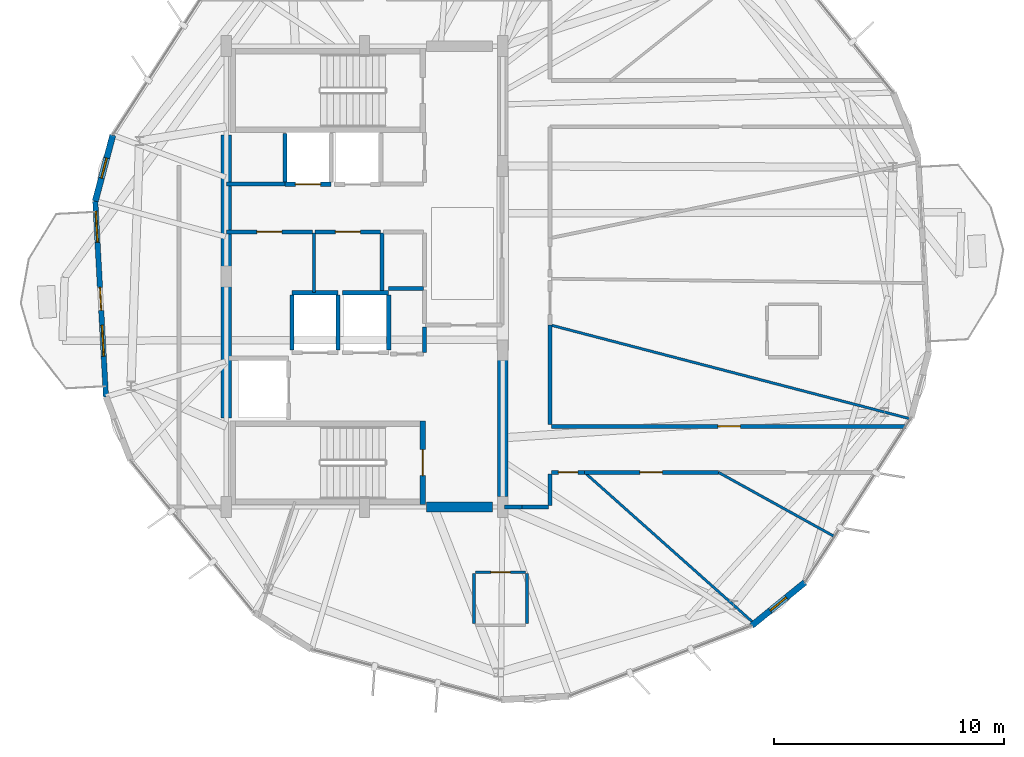
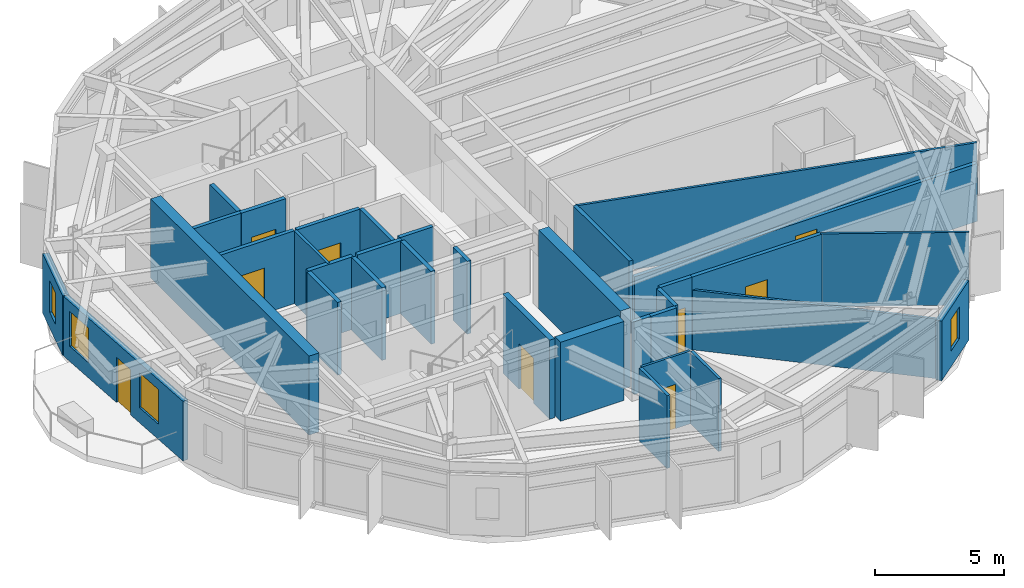
# One storey, part 21 of 26: 34 walls, 9 doors, 4 windows, 13 openings.
"""IFC4 building model written with IfcOpenShell, lengths in metres."""

from ifc_helpers import new_model, si_unit, direction, frame, frame_2d, origin, place, context, subcontext, project, spatial, rectangle, extrude, material, layer, layer_set, type_object, element, fill, save


model = new_model("IFC4")

# Units and contexts
model_context = context("Model", 3, precision=1e-05, world=origin(), true_north=direction((0.0, 1.0)))
body_context = subcontext(model_context, "Body", "Model", "MODEL_VIEW")
ifc_project = project(units=[si_unit("LENGTHUNIT", "METRE"), si_unit("AREAUNIT", "SQUARE_METRE"), si_unit("VOLUMEUNIT", "CUBIC_METRE"), si_unit("PLANEANGLEUNIT", "RADIAN"), si_unit("MASSUNIT", "GRAM", prefix="KILO")], contexts=[model_context])

# Site, building, storey
site_placement = place(None, origin())
site = spatial("IfcSite", under=ifc_project, at=site_placement, CompositionType="ELEMENT")
building_placement = place(site_placement, origin())
building = spatial("IfcBuilding", under=site, at=building_placement, Name="Soratama Intermodal Tower", CompositionType="ELEMENT")
storey_placement = place(building_placement, frame((0.0, 0.0, 242.5)))
storey = spatial("IfcBuildingStorey", under=building, at=storey_placement, Name="L61", CompositionType="ELEMENT", Elevation=242.5)

# Wall, openings, door, windows
ifc_material_1 = material(Name="Concrete f'c 42 MPa", Category="concrete")
ifc_layer_1 = layer(ifc_material_1, 0.22998046875)
ifc_layer_set_1 = layer_set([ifc_layer_1], Name="Concrete f'c 42 MPa")
wall_type_1 = type_object("IfcWallType", Name="EW-BAL-230", PredefinedType="SOLIDWALL", material=ifc_layer_set_1)
wall_1_placement = place(storey_placement, frame((26.915283203125, 28.2705078125, 0.0), z_axis=(0.0, 0.0, 1.0), x_axis=(0.05442960739, -0.99851761018, 0.0)))
wall_1 = element("IfcWall", 1, at=wall_1_placement, inside=storey, type_object=wall_type_1, Name="L61 Terrace Wall F04", PredefinedType="SOLIDWALL", context=body_context, shape_type="SweptSolid", body=[
    extrude(rectangle(XDim=8.5, YDim=0.22998046875, at=frame_2d((4.25, 0.0))), origin(), (0.0, 0.0, 1.0), 2.8291015625),
])
opening_1_placement = place(wall_1_placement, frame((3.75, 0.0, 0.0)))
opening_1 = element("IfcOpeningElement", 2, at=opening_1_placement, cuts=wall_1, Name="Opening ED-2", PredefinedType="OPENING", context=body_context, shape_type="SweptSolid", body=[
    extrude(rectangle(XDim=1.0, YDim=2.14990234375, at=frame_2d((0.5, 1.074951171875))), frame((0.0, 0.125, 0.0), z_axis=(0.0, -1.0, 0.0), x_axis=(1.0, 0.0, 0.0)), (0.0, 0.0, 1.0), 0.25),
])
opening_2_placement = place(wall_1_placement, frame((0.43994140625, 0.0, 0.719970703125)))
opening_2 = element("IfcOpeningElement", 3, at=opening_2_placement, cuts=wall_1, Name="Opening WN-4", PredefinedType="OPENING", context=body_context, shape_type="SweptSolid", body=[
    extrude(rectangle(XDim=1.35009765625, YDim=1.64990234375, at=frame_2d((0.675048828125, 0.824951171875))), frame((0.0, 0.125, 0.0), z_axis=(0.0, -1.0, 0.0), x_axis=(1.0, 0.0, 0.0)), (0.0, 0.0, 1.0), 0.25),
])
opening_3_placement = place(wall_1_placement, frame((5.389892578125, 0.0, 0.719970703125)))
opening_3 = element("IfcOpeningElement", 4, at=opening_3_placement, cuts=wall_1, Name="Opening WN-4", PredefinedType="OPENING", context=body_context, shape_type="SweptSolid", body=[
    extrude(rectangle(XDim=1.35009765625, YDim=1.64990234375, at=frame_2d((0.675048828125, 0.824951171875))), frame((0.0, 0.125, 0.0), z_axis=(0.0, -1.0, 0.0), x_axis=(1.0, 0.0, 0.0)), (0.0, 0.0, 1.0), 0.25),
])
ifc_material_2 = material(Name="Double-glazed aluminium door", Category="aluminium")
door_type_1 = type_object("IfcDoorType", Name="DR-BAL-1000", OperationType="NOTDEFINED", PredefinedType="DOOR", material=ifc_material_2)
door_1_placement = place(opening_1_placement, origin())
door_1 = element("IfcDoor", 5, at=door_1_placement, inside=storey, type_object=door_type_1, Name="L61 Balcony Door F04", OperationType="SINGLE_SWING_RIGHT", OverallHeight=2.14990234375, OverallWidth=1.0, PredefinedType="DOOR", context=body_context, shape_type="SweptSolid", body=[
    extrude(rectangle(XDim=1.0, YDim=2.14990234375, at=frame_2d((0.5, 1.074951171875))), frame((0.0, 0.02490234375, 0.0), z_axis=(0.0, -1.0, 0.0), x_axis=(1.0, 0.0, 0.0)), (0.0, 0.0, 1.0), 0.050048828125),
])
fill(opening_1, door_1)
ifc_material_3 = material(Name="Double-glazed aluminium window", Category="aluminium")
window_type_1 = type_object("IfcWindowType", Name="WN-FAC-1350", PartitioningType="SINGLE_PANEL", PredefinedType="WINDOW", material=ifc_material_3)
window_1_placement = place(opening_2_placement, origin())
window_1 = element("IfcWindow", 6, at=window_1_placement, inside=storey, type_object=window_type_1, Name="L61 Window A F04", OverallHeight=1.64990234375, OverallWidth=1.35009765625, PartitioningType="SINGLE_PANEL", PredefinedType="WINDOW", context=body_context, shape_type="SweptSolid", body=[
    extrude(rectangle(XDim=1.35009765625, YDim=1.64990234375, at=frame_2d((0.675048828125, 0.824951171875))), frame((0.0, 0.030029296875, 0.0), z_axis=(0.0, -1.0, 0.0), x_axis=(1.0, 0.0, 0.0)), (0.0, 0.0, 1.0), 0.06005859375),
])
fill(opening_2, window_1)
window_2_placement = place(opening_3_placement, origin())
window_2 = element("IfcWindow", 7, at=window_2_placement, inside=storey, type_object=window_type_1, Name="L61 Window B F04", OverallHeight=1.64990234375, OverallWidth=1.35009765625, PartitioningType="SINGLE_PANEL", PredefinedType="WINDOW", context=body_context, shape_type="SweptSolid", body=[
    extrude(rectangle(XDim=1.35009765625, YDim=1.64990234375, at=frame_2d((0.675048828125, 0.824951171875))), frame((0.0, 0.030029296875, 0.0), z_axis=(0.0, -1.0, 0.0), x_axis=(1.0, 0.0, 0.0)), (0.0, 0.0, 1.0), 0.06005859375),
])
fill(opening_3, window_2)

# Wall, opening, window
ifc_material_4 = material(Name="Concrete f'c 42 MPa", Category="concrete")
ifc_layer_2 = layer(ifc_material_4, 0.27001953125)
ifc_layer_set_2 = layer_set([ifc_layer_2], Name="Concrete f'c 42 MPa")
wall_type_2 = type_object("IfcWallType", Name="EW-CRN-270", PredefinedType="SOLIDWALL", material=ifc_layer_set_2)
wall_2_placement = place(storey_placement, frame((27.677001953125, 31.137451171875, 0.0), z_axis=(0.0, 0.0, 1.0), x_axis=(-0.256781470725, -0.966469490616, 0.0)))
wall_2 = element("IfcWall", 8, at=wall_2_placement, inside=storey, type_object=wall_type_2, Name="L61 Corner Closure Wall 03", PredefinedType="SOLIDWALL", context=body_context, shape_type="SweptSolid", body=[
    extrude(rectangle(XDim=2.96630859375, YDim=0.27001953125, at=frame_2d((1.483154296875, 0.0))), origin(), (0.0, 0.0, 1.0), 2.8291015625),
])
opening_4_placement = place(wall_2_placement, frame((1.033203125, 0.0, 0.75)))
opening_4 = element("IfcOpeningElement", 9, at=opening_4_placement, cuts=wall_2, Name="Opening WN-6", PredefinedType="OPENING", context=body_context, shape_type="SweptSolid", body=[
    extrude(rectangle(XDim=0.89990234375, YDim=1.5, at=frame_2d((0.449951171875, 0.75))), frame((0.0, 0.14501953125, 0.0), z_axis=(0.0, -1.0, 0.0), x_axis=(1.0, 0.0, 0.0)), (0.0, 0.0, 1.0), 0.2900390625),
])
ifc_material_5 = material(Name="Double-glazed aluminium window", Category="aluminium")
window_type_2 = type_object("IfcWindowType", Name="WN-FAC-900", PartitioningType="SINGLE_PANEL", PredefinedType="WINDOW", material=ifc_material_5)
window_3_placement = place(opening_4_placement, origin())
window_3 = element("IfcWindow", 10, at=window_3_placement, inside=storey, type_object=window_type_2, Name="L61 Corner Window 03", OverallHeight=1.5, OverallWidth=0.89990234375, PartitioningType="SINGLE_PANEL", PredefinedType="WINDOW", context=body_context, shape_type="SweptSolid", body=[
    extrude(rectangle(XDim=0.89990234375, YDim=1.5, at=frame_2d((0.449951171875, 0.75))), frame((0.0, 0.030029296875, 0.0), z_axis=(0.0, -1.0, 0.0), x_axis=(1.0, 0.0, 0.0)), (0.0, 0.0, 1.0), 0.06005859375),
])
fill(opening_4, window_3)

wall_3_placement = place(storey_placement, frame((55.406982421875, 9.8525390625, 0.0), z_axis=(0.0, 0.0, 1.0), x_axis=(0.77584960114, 0.630917899898, 0.0)))
wall_3 = element("IfcWall", 11, at=wall_3_placement, inside=storey, type_object=wall_type_2, Name="L61 Corner Closure Wall 07", PredefinedType="SOLIDWALL", context=body_context, shape_type="SweptSolid", body=[
    extrude(rectangle(XDim=2.966552734375, YDim=0.27001953125, at=frame_2d((1.4833984375, 0.0))), origin(), (0.0, 0.0, 1.0), 2.8291015625),
])
opening_5_placement = place(wall_3_placement, frame((1.033203125, 0.0, 0.75)))
opening_5 = element("IfcOpeningElement", 12, at=opening_5_placement, cuts=wall_3, Name="Opening WN-6", PredefinedType="OPENING", context=body_context, shape_type="SweptSolid", body=[
    extrude(rectangle(XDim=0.89990234375, YDim=1.5, at=frame_2d((0.449951171875, 0.75))), frame((0.0, 0.14501953125, 0.0), z_axis=(0.0, -1.0, 0.0), x_axis=(1.0, 0.0, 0.0)), (0.0, 0.0, 1.0), 0.2900390625),
])
window_4_placement = place(opening_5_placement, origin())
window_4 = element("IfcWindow", 13, at=window_4_placement, inside=storey, type_object=window_type_2, Name="L61 Corner Window 07", OverallHeight=1.5, OverallWidth=0.89990234375, PartitioningType="SINGLE_PANEL", PredefinedType="WINDOW", context=body_context, shape_type="SweptSolid", body=[
    extrude(rectangle(XDim=0.89990234375, YDim=1.5, at=frame_2d((0.449951171875, 0.75))), frame((0.0, 0.030029296875, 0.0), z_axis=(0.0, -1.0, 0.0), x_axis=(1.0, 0.0, 0.0)), (0.0, 0.0, 1.0), 0.06005859375),
])
fill(opening_5, window_4)

# Wall, opening, door
ifc_material_6 = material(Name="Fire-rated gypsum stud partition", Category="concrete")
ifc_layer_3 = layer(ifc_material_6, 0.169921875)
ifc_layer_set_3 = layer_set([ifc_layer_3], Name="Fire-rated gypsum stud partition")
wall_type_3 = type_object("IfcWallType", Name="IW-PART-R170", PredefinedType="PARTITIONING", material=ifc_layer_set_3)
wall_4_placement = place(storey_placement, frame((46.719970703125, 18.5, 0.0), z_axis=(0.0, 0.0, 1.0), x_axis=(1.0, 0.0, 0.0)))
wall_4 = element("IfcWall", 14, at=wall_4_placement, inside=storey, type_object=wall_type_3, Name="L61 Partition W-L61-TP005", PredefinedType="PARTITIONING", context=body_context, shape_type="SweptSolid", body=[
    extrude(rectangle(XDim=15.369140625, YDim=0.169921875, at=frame_2d((7.6845703125, 0.0))), origin(), (0.0, 0.0, 1.0), 2.7451171875),
])
opening_6_placement = place(wall_4_placement, frame((7.2099609375, 0.0, 0.0)))
opening_6 = element("IfcOpeningElement", 15, at=opening_6_placement, cuts=wall_4, Name="Opening ID-5", PredefinedType="OPENING", context=body_context, shape_type="SweptSolid", body=[
    extrude(rectangle(XDim=0.97998046875, YDim=2.14990234375, at=frame_2d((0.489990234375, 1.074951171875))), frame((0.0, 0.094970703125, 0.0), z_axis=(0.0, -1.0, 0.0), x_axis=(1.0, 0.0, 0.0)), (0.0, 0.0, 1.0), 0.18994140625),
])
ifc_material_7 = material(Name="Solid hardwood acoustic door", Category="wood")
door_type_2 = type_object("IfcDoorType", Name="DR-OFF-980", OperationType="NOTDEFINED", PredefinedType="DOOR", material=ifc_material_7)
door_2_placement = place(opening_6_placement, origin())
door_2 = element("IfcDoor", 16, at=door_2_placement, inside=storey, type_object=door_type_2, Name="L61 Door D-L61-TP002", OperationType="SINGLE_SWING_LEFT", OverallHeight=2.14990234375, OverallWidth=0.97998046875, PredefinedType="DOOR", context=body_context, shape_type="SweptSolid", body=[
    extrude(rectangle(XDim=0.97998046875, YDim=2.14990234375, at=frame_2d((0.489990234375, 1.074951171875))), frame((0.0, 0.02490234375, 0.0), z_axis=(0.0, -1.0, 0.0), x_axis=(1.0, 0.0, 0.0)), (0.0, 0.0, 1.0), 0.050048828125),
])
fill(opening_6, door_2)

wall_5_placement = place(storey_placement, frame((53.9619140625, 16.5, 0.0), z_axis=(0.0, 0.0, 1.0), x_axis=(-1.0, 0.0, 0.0)))
wall_5 = element("IfcWall", 17, at=wall_5_placement, inside=storey, type_object=wall_type_3, Name="L61 Partition W-L61-TP012", PredefinedType="PARTITIONING", context=body_context, shape_type="SweptSolid", body=[
    extrude(rectangle(XDim=5.81298828125, YDim=0.169921875, at=frame_2d((2.906494140625, 0.0))), origin(), (0.0, 0.0, 1.0), 3.449951171875),
])
opening_7_placement = place(wall_5_placement, frame((2.431884765625, 0.0, 0.0)))
opening_7 = element("IfcOpeningElement", 18, at=opening_7_placement, cuts=wall_5, Name="Opening ID-5", PredefinedType="OPENING", context=body_context, shape_type="SweptSolid", body=[
    extrude(rectangle(XDim=0.97998046875, YDim=2.14990234375, at=frame_2d((0.489990234375, 1.074951171875))), frame((0.0, 0.094970703125, 0.0), z_axis=(0.0, -1.0, 0.0), x_axis=(1.0, 0.0, 0.0)), (0.0, 0.0, 1.0), 0.18994140625),
])
door_3_placement = place(opening_7_placement, origin())
door_3 = element("IfcDoor", 19, at=door_3_placement, inside=storey, type_object=door_type_2, Name="L61 Door D-L61-TP007", OperationType="SINGLE_SWING_RIGHT", OverallHeight=2.14990234375, OverallWidth=0.97998046875, PredefinedType="DOOR", context=body_context, shape_type="SweptSolid", body=[
    extrude(rectangle(XDim=0.97998046875, YDim=2.14990234375, at=frame_2d((0.489990234375, 1.074951171875))), frame((0.0, 0.02490234375, 0.0), z_axis=(0.0, -1.0, 0.0), x_axis=(1.0, 0.0, 0.0)), (0.0, 0.0, 1.0), 0.050048828125),
])
fill(opening_7, door_3)

# Wall
wall_6_placement = place(storey_placement, frame((46.64990234375, 22.90087890625, 0.0), z_axis=(0.0, 0.0, 1.0), x_axis=(0.0, -1.0, 0.0)))
element("IfcWall", 20, at=wall_6_placement, inside=storey, type_object=wall_type_3, Name="L61 Partition W-L61-TP016", PredefinedType="PARTITIONING", context=body_context, shape_type="SweptSolid", body=[
    extrude(rectangle(XDim=4.330810546875, YDim=0.169921875, at=frame_2d((2.16552734375, 0.0))), origin(), (0.0, 0.0, 1.0), 3.449951171875),
])

# Wall, opening, door
wall_7_placement = place(storey_placement, frame((36.340087890625, 26.93994140625, 0.0), z_axis=(0.0, 0.0, 1.0), x_axis=(-1.0, 0.0, 0.0)))
wall_7 = element("IfcWall", 21, at=wall_7_placement, inside=storey, type_object=wall_type_3, Name="L61 Partition W-L61-TP017", PredefinedType="PARTITIONING", context=body_context, shape_type="SweptSolid", body=[
    extrude(rectangle(XDim=3.739990234375, YDim=0.169921875, at=frame_2d((1.8701171875, 0.0))), origin(), (0.0, 0.0, 1.0), 3.449951171875),
])
opening_8_placement = place(wall_7_placement, frame((1.330078125, 0.0, 0.0)))
opening_8 = element("IfcOpeningElement", 22, at=opening_8_placement, cuts=wall_7, Name="Opening ID-1", PredefinedType="OPENING", context=body_context, shape_type="SweptSolid", body=[
    extrude(rectangle(XDim=1.080078125, YDim=2.14990234375, at=frame_2d((0.5400390625, 1.074951171875))), frame((0.0, 0.094970703125, 0.0), z_axis=(0.0, -1.0, 0.0), x_axis=(1.0, 0.0, 0.0)), (0.0, 0.0, 1.0), 0.18994140625),
])
ifc_material_8 = material(Name="Solid hardwood acoustic door", Category="wood")
door_type_3 = type_object("IfcDoorType", Name="DR-LOB-FD60", OperationType="NOTDEFINED", PredefinedType="DOOR", material=ifc_material_8)
door_4_placement = place(opening_8_placement, origin())
door_4 = element("IfcDoor", 23, at=door_4_placement, inside=storey, type_object=door_type_3, Name="L61 Door D-L61-TP008", OperationType="SINGLE_SWING_LEFT", OverallHeight=2.14990234375, OverallWidth=1.080078125, PredefinedType="DOOR", context=body_context, shape_type="SweptSolid", body=[
    extrude(rectangle(XDim=1.080078125, YDim=2.14990234375, at=frame_2d((0.5400390625, 1.074951171875))), frame((0.0, 0.02490234375, 0.0), z_axis=(0.0, -1.0, 0.0), x_axis=(1.0, 0.0, 0.0)), (0.0, 0.0, 1.0), 0.050048828125),
])
fill(opening_8, door_4)

wall_8_placement = place(storey_placement, frame((39.300048828125, 26.93994140625, 0.0), z_axis=(0.0, 0.0, 1.0), x_axis=(-1.0, 0.0, 0.0)))
wall_8 = element("IfcWall", 24, at=wall_8_placement, inside=storey, type_object=wall_type_3, Name="L61 Partition W-L61-TP020", PredefinedType="PARTITIONING", context=body_context, shape_type="SweptSolid", body=[
    extrude(rectangle(XDim=2.840087890625, YDim=0.169921875, at=frame_2d((1.419921875, 0.0))), origin(), (0.0, 0.0, 1.0), 3.449951171875),
])
opening_9_placement = place(wall_8_placement, frame((0.8798828125, 0.0, 0.0)))
opening_9 = element("IfcOpeningElement", 25, at=opening_9_placement, cuts=wall_8, Name="Opening ID-1", PredefinedType="OPENING", context=body_context, shape_type="SweptSolid", body=[
    extrude(rectangle(XDim=1.080078125, YDim=2.14990234375, at=frame_2d((0.5400390625, 1.074951171875))), frame((0.0, 0.094970703125, 0.0), z_axis=(0.0, -1.0, 0.0), x_axis=(1.0, 0.0, 0.0)), (0.0, 0.0, 1.0), 0.18994140625),
])
door_5_placement = place(opening_9_placement, origin())
door_5 = element("IfcDoor", 26, at=door_5_placement, inside=storey, type_object=door_type_3, Name="L61 Door D-L61-TP010", OperationType="SINGLE_SWING_LEFT", OverallHeight=2.14990234375, OverallWidth=1.080078125, PredefinedType="DOOR", context=body_context, shape_type="SweptSolid", body=[
    extrude(rectangle(XDim=1.080078125, YDim=2.14990234375, at=frame_2d((0.5400390625, 1.074951171875))), frame((0.0, 0.02490234375, 0.0), z_axis=(0.0, -1.0, 0.0), x_axis=(1.0, 0.0, 0.0)), (0.0, 0.0, 1.0), 0.050048828125),
])
fill(opening_9, door_5)

# Walls
wall_9_placement = place(storey_placement, frame((39.360107421875, 24.300048828125, 0.0), z_axis=(0.0, 0.0, 1.0), x_axis=(0.0, 1.0, 0.0)))
element("IfcWall", 27, at=wall_9_placement, inside=storey, type_object=wall_type_3, Name="L61 Partition W-L61-TP022", PredefinedType="PARTITIONING", context=body_context, shape_type="SweptSolid", body=[
    extrude(rectangle(XDim=2.579833984375, YDim=0.169921875, at=frame_2d((1.2900390625, 0.0))), origin(), (0.0, 0.0, 1.0), 3.449951171875),
])
wall_10_placement = place(storey_placement, frame((32.60009765625, 29.010009765625, 0.0), z_axis=(0.0, 0.0, 1.0), x_axis=(1.0, 0.0, 0.0)))
element("IfcWall", 28, at=wall_10_placement, inside=storey, type_object=wall_type_3, Name="L61 Partition W-L61-TP023", PredefinedType="PARTITIONING", context=body_context, shape_type="SweptSolid", body=[
    extrude(rectangle(XDim=2.5498046875, YDim=0.169921875, at=frame_2d((1.27490234375, 0.0))), origin(), (0.0, 0.0, 1.0), 3.449951171875),
])
wall_11_placement = place(storey_placement, frame((39.64990234375, 24.485107421875, 0.0), z_axis=(0.0, 0.0, 1.0), x_axis=(1.0, 0.0, 0.0)))
element("IfcWall", 29, at=wall_11_placement, inside=storey, type_object=wall_type_3, Name="L61 Partition W-L61-TP040", PredefinedType="PARTITIONING", context=body_context, shape_type="SweptSolid", body=[
    extrude(rectangle(XDim=1.510009765625, YDim=0.169921875, at=frame_2d((0.7548828125, 0.0))), origin(), (0.0, 0.0, 1.0), 3.449951171875),
])

# Wall, opening, door
wall_12_placement = place(storey_placement, frame((48.14892578125, 16.5, 0.0), z_axis=(0.0, 0.0, 1.0), x_axis=(-1.0, 0.0, 0.0)))
wall_12 = element("IfcWall", 30, at=wall_12_placement, inside=storey, type_object=wall_type_3, Name="L61 Partition W-L61-TP043", PredefinedType="PARTITIONING", context=body_context, shape_type="SweptSolid", body=[
    extrude(rectangle(XDim=1.428955078125, YDim=0.169921875, at=frame_2d((0.71435546875, 0.0))), origin(), (0.0, 0.0, 1.0), 3.449951171875),
])
opening_10_placement = place(wall_12_placement, frame((0.2900390625, 0.0, 0.0)))
opening_10 = element("IfcOpeningElement", 31, at=opening_10_placement, cuts=wall_12, Name="Opening ID-4", PredefinedType="OPENING", context=body_context, shape_type="SweptSolid", body=[
    extrude(rectangle(XDim=0.85009765625, YDim=2.10009765625, at=frame_2d((0.425048828125, 1.050048828125))), frame((0.0, 0.094970703125, 0.0), z_axis=(0.0, -1.0, 0.0), x_axis=(1.0, 0.0, 0.0)), (0.0, 0.0, 1.0), 0.18994140625),
])
ifc_material_9 = material(Name="Solid hardwood acoustic door", Category="wood")
door_type_4 = type_object("IfcDoorType", Name="DR-BATH-850", OperationType="NOTDEFINED", PredefinedType="DOOR", material=ifc_material_9)
door_6_placement = place(opening_10_placement, origin())
door_6 = element("IfcDoor", 32, at=door_6_placement, inside=storey, type_object=door_type_4, Name="L61 Door D-L61-TP018", OperationType="SINGLE_SWING_LEFT", OverallHeight=2.10009765625, OverallWidth=0.85009765625, PredefinedType="DOOR", context=body_context, shape_type="SweptSolid", body=[
    extrude(rectangle(XDim=0.85009765625, YDim=2.10009765625, at=frame_2d((0.425048828125, 1.050048828125))), frame((0.0, 0.02490234375, 0.0), z_axis=(0.0, -1.0, 0.0), x_axis=(1.0, 0.0, 0.0)), (0.0, 0.0, 1.0), 0.050048828125),
])
fill(opening_10, door_6)

# Walls
wall_13_placement = place(storey_placement, frame((46.64990234375, 16.429931640625, 0.0), z_axis=(0.0, 0.0, 1.0), x_axis=(0.0, -1.0, 0.0)))
element("IfcWall", 33, at=wall_13_placement, inside=storey, type_object=wall_type_3, Name="L61 Partition W-L61-TP044", PredefinedType="PARTITIONING", context=body_context, shape_type="SweptSolid", body=[
    extrude(rectangle(XDim=1.35986328125, YDim=0.169921875, at=frame_2d((0.679931640625, 0.0))), origin(), (0.0, 0.0, 1.0), 3.449951171875),
])
wall_14_placement = place(storey_placement, frame((46.580078125, 15.0, 0.0), z_axis=(0.0, 0.0, 1.0), x_axis=(-1.0, 0.0, 0.0)))
element("IfcWall", 34, at=wall_14_placement, inside=storey, type_object=wall_type_3, Name="L61 Partition W-L61-TP045", PredefinedType="PARTITIONING", context=body_context, shape_type="SweptSolid", body=[
    extrude(rectangle(XDim=1.13916015625, YDim=0.169921875, at=frame_2d((0.569580078125, 0.0))), origin(), (0.0, 0.0, 1.0), 3.449951171875),
])
wall_15_placement = place(storey_placement, frame((41.199951171875, 21.699951171875, 0.0), z_axis=(0.0, 0.0, 1.0), x_axis=(0.0, 1.0, 0.0)))
element("IfcWall", 35, at=wall_15_placement, inside=storey, type_object=wall_type_3, Name="L61 Partition W-L61-TP046", PredefinedType="PARTITIONING", context=body_context, shape_type="SweptSolid", body=[
    extrude(rectangle(XDim=1.1201171875, YDim=0.169921875, at=frame_2d((0.56005859375, 0.0))), origin(), (0.0, 0.0, 1.0), 3.449951171875),
])
wall_16_placement = place(storey_placement, frame((45.43896484375, 15.0, 0.0), z_axis=(0.0, 0.0, 1.0), x_axis=(-1.0, 0.0, 0.0)))
element("IfcWall", 36, at=wall_16_placement, inside=storey, type_object=wall_type_3, Name="L61 Partition W-L61-TP047", PredefinedType="PARTITIONING", context=body_context, shape_type="SweptSolid", body=[
    extrude(rectangle(XDim=0.76904296875, YDim=0.169921875, at=frame_2d((0.384521484375, 0.0))), origin(), (0.0, 0.0, 1.0), 3.449951171875),
])
ifc_material_10 = material(Name="Fire-rated gypsum stud partition", Category="concrete")
ifc_layer_4 = layer(ifc_material_10, 0.110107421875)
ifc_layer_set_4 = layer_set([ifc_layer_4], Name="Fire-rated gypsum stud partition")
wall_type_4 = type_object("IfcWallType", Name="IW-PART-S110", PredefinedType="PARTITIONING", material=ifc_layer_set_4)
wall_17_placement = place(storey_placement, frame((46.64990234375, 22.90087890625, 0.0), z_axis=(0.0, 0.0, 1.0), x_axis=(0.967662952178, -0.252246726405, 0.0)))
element("IfcWall", 37, at=wall_17_placement, inside=storey, type_object=wall_type_4, Name="L61 Partition W-L61-TP003", PredefinedType="PARTITIONING", context=body_context, shape_type="SweptSolid", body=[
    extrude(rectangle(XDim=16.170166015625, YDim=0.110107421875, at=frame_2d((8.0849609375, 0.0))), origin(), (0.0, 0.0, 1.0), 3.449951171875),
])
wall_18_placement = place(storey_placement, frame((48.14892578125, 16.5, 0.0), z_axis=(0.0, 0.0, 1.0), x_axis=(0.746887266328, -0.664950683432, 0.0)))
element("IfcWall", 38, at=wall_18_placement, inside=storey, type_object=wall_type_4, Name="L61 Partition W-L61-TP008", PredefinedType="PARTITIONING", context=body_context, shape_type="SweptSolid", body=[
    extrude(rectangle(XDim=9.886474609375, YDim=0.110107421875, at=frame_2d((4.943359375, 0.0))), origin(), (0.0, 0.0, 1.0), 2.827880859375),
])
wall_19_placement = place(storey_placement, frame((53.9619140625, 16.5, 0.0), z_axis=(0.0, 0.0, 1.0), x_axis=(0.874990816909, -0.484139515351, 0.0)))
element("IfcWall", 39, at=wall_19_placement, inside=storey, type_object=wall_type_4, Name="L61 Partition W-L61-TP013", PredefinedType="PARTITIONING", context=body_context, shape_type="SweptSolid", body=[
    extrude(rectangle(XDim=5.752197265625, YDim=0.110107421875, at=frame_2d((2.8759765625, 0.0))), origin(), (0.0, 0.0, 1.0), 3.449951171875),
])

# Wall, opening, door
wall_20_placement = place(storey_placement, frame((45.5849609375, 12.173095703125, 0.0), z_axis=(0.0, 0.0, 1.0), x_axis=(-1.0, 0.0, 0.0)))
wall_20 = element("IfcWall", 40, at=wall_20_placement, inside=storey, type_object=wall_type_4, Name="L61 Partition W-L61-TP028", PredefinedType="PARTITIONING", context=body_context, shape_type="SweptSolid", body=[
    extrude(rectangle(XDim=2.159912109375, YDim=0.110107421875, at=frame_2d((1.080078125, 0.0))), origin(), (0.0, 0.0, 1.0), 3.449951171875),
])
opening_11_placement = place(wall_20_placement, frame((0.655029296875, 0.0, 0.0)))
opening_11 = element("IfcOpeningElement", 41, at=opening_11_placement, cuts=wall_20, Name="Opening ID-4", PredefinedType="OPENING", context=body_context, shape_type="SweptSolid", body=[
    extrude(rectangle(XDim=0.85009765625, YDim=2.10009765625, at=frame_2d((0.425048828125, 1.050048828125))), frame((0.0, 0.06494140625, 0.0), z_axis=(0.0, -1.0, 0.0), x_axis=(1.0, 0.0, 0.0)), (0.0, 0.0, 1.0), 0.130126953125),
])
door_7_placement = place(opening_11_placement, origin())
door_7 = element("IfcDoor", 42, at=door_7_placement, inside=storey, type_object=door_type_4, Name="L61 Door D-L61-TP013", OperationType="SINGLE_SWING_RIGHT", OverallHeight=2.10009765625, OverallWidth=0.85009765625, PredefinedType="DOOR", context=body_context, shape_type="SweptSolid", body=[
    extrude(rectangle(XDim=0.85009765625, YDim=2.10009765625, at=frame_2d((0.425048828125, 1.050048828125))), frame((0.0, 0.02490234375, 0.0), z_axis=(0.0, -1.0, 0.0), x_axis=(1.0, 0.0, 0.0)), (0.0, 0.0, 1.0), 0.050048828125),
])
fill(opening_11, door_7)

# Walls
ifc_material_11 = material(Name="Fire-rated gypsum stud partition", Category="concrete")
ifc_layer_5 = layer(ifc_material_11, 0.1298828125)
ifc_layer_set_5 = layer_set([ifc_layer_5], Name="Fire-rated gypsum stud partition")
wall_type_5 = type_object("IfcWallType", Name="IW-PART-S130", PredefinedType="PARTITIONING", material=ifc_layer_set_5)
wall_21_placement = place(storey_placement, frame((36.39990234375, 26.8798828125, 0.0), z_axis=(0.0, 0.0, 1.0), x_axis=(0.0, -1.0, 0.0)))
element("IfcWall", 43, at=wall_21_placement, inside=storey, type_object=wall_type_5, Name="L61 Partition W-L61-TP021", PredefinedType="PARTITIONING", context=body_context, shape_type="SweptSolid", body=[
    extrude(rectangle(XDim=2.579833984375, YDim=0.1298828125, at=frame_2d((1.2900390625, 0.0))), origin(), (0.0, 0.0, 1.0), 3.449951171875),
])
wall_22_placement = place(storey_placement, frame((45.655029296875, 9.943115234375, 0.0), z_axis=(0.0, 0.0, 1.0), x_axis=(0.0, 1.0, 0.0)))
element("IfcWall", 44, at=wall_22_placement, inside=storey, type_object=wall_type_5, Name="L61 Partition W-L61-TP031", PredefinedType="PARTITIONING", context=body_context, shape_type="SweptSolid", body=[
    extrude(rectangle(XDim=2.159912109375, YDim=0.1298828125, at=frame_2d((1.080078125, 0.0))), origin(), (0.0, 0.0, 1.0), 3.449951171875),
])
ifc_material_12 = material(Name="Fire-rated gypsum stud partition", Category="concrete")
ifc_layer_6 = layer(ifc_material_12, 0.139892578125)
ifc_layer_set_6 = layer_set([ifc_layer_6], Name="Fire-rated gypsum stud partition")
wall_type_6 = type_object("IfcWallType", Name="IW-PART-S140", PredefinedType="PARTITIONING", material=ifc_layer_set_6)
wall_23_placement = place(storey_placement, frame((43.35498046875, 12.10302734375, 0.0), z_axis=(0.0, 0.0, 1.0), x_axis=(0.0, -1.0, 0.0)))
element("IfcWall", 45, at=wall_23_placement, inside=storey, type_object=wall_type_6, Name="L61 Partition W-L61-TP030", PredefinedType="PARTITIONING", context=body_context, shape_type="SweptSolid", body=[
    extrude(rectangle(XDim=2.159912109375, YDim=0.139892578125, at=frame_2d((1.080078125, 0.0))), origin(), (0.0, 0.0, 1.0), 3.449951171875),
])
ifc_material_13 = material(Name="Concrete f'c 42 MPa", Category="concrete")
ifc_layer_7 = layer(ifc_material_13, 0.18505859375)
ifc_layer_set_7 = layer_set([ifc_layer_7], Name="Concrete f'c 42 MPa")
wall_type_7 = type_object("IfcWallType", Name="IW-SHAFT-185", PredefinedType="SOLIDWALL", material=ifc_layer_set_7)
wall_24_placement = place(storey_placement, frame((35.449951171875, 24.300048828125, 0.0), z_axis=(0.0, 0.0, 1.0), x_axis=(1.0, 0.0, 0.0)))
element("IfcWall", 46, at=wall_24_placement, inside=storey, type_object=wall_type_7, Name="L61 FFL-1 Hoistway Wall N", PredefinedType="SOLIDWALL", context=body_context, shape_type="SweptSolid", body=[
    extrude(rectangle(XDim=2.0, YDim=0.18505859375, at=frame_2d((1.0, 0.0))), origin(), (0.0, 0.0, 1.0), 3.449951171875),
])
for number, where, z_axis, x_axis, name in (
    (47, (35.449951171875, 21.81005859375, 0.0), (0.0, 0.0, 1.0), (0.0, 1.0, 0.0), "L61 FFL-1 Hoistway Wall W"),
    (48, (37.449951171875, 21.81005859375, 0.0), (0.0, 0.0, 1.0), (0.0, 1.0, 0.0), "L61 FFL-1 Hoistway Wall E"),
):
    element("IfcWall", number, at=place(storey_placement, frame(where, z_axis=z_axis, x_axis=x_axis)), inside=storey, type_object=wall_type_7, Name=name, PredefinedType="SOLIDWALL", context=body_context, shape_type="SweptSolid", body=[
        extrude(rectangle(XDim=2.3798828125, YDim=0.18505859375, at=frame_2d((1.18994140625, 0.0))), origin(), (0.0, 0.0, 1.0), 3.449951171875),
    ])
wall_25_placement = place(storey_placement, frame((37.64990234375, 24.300048828125, 0.0), z_axis=(0.0, 0.0, 1.0), x_axis=(1.0, 0.0, 0.0)))
element("IfcWall", 49, at=wall_25_placement, inside=storey, type_object=wall_type_7, Name="L61 FFL-2 Hoistway Wall N", PredefinedType="SOLIDWALL", context=body_context, shape_type="SweptSolid", body=[
    extrude(rectangle(XDim=2.0, YDim=0.18505859375, at=frame_2d((1.0, 0.0))), origin(), (0.0, 0.0, 1.0), 3.449951171875),
])
wall_26_placement = place(storey_placement, frame((39.64990234375, 21.81005859375, 0.0), z_axis=(0.0, 0.0, 1.0), x_axis=(0.0, 1.0, 0.0)))
element("IfcWall", 50, at=wall_26_placement, inside=storey, type_object=wall_type_7, Name="L61 FFL-2 Hoistway Wall E", PredefinedType="SOLIDWALL", context=body_context, shape_type="SweptSolid", body=[
    extrude(rectangle(XDim=2.3798828125, YDim=0.18505859375, at=frame_2d((1.18994140625, 0.0))), origin(), (0.0, 0.0, 1.0), 3.449951171875),
])

# Wall, opening, door
wall_27_placement = place(storey_placement, frame((35.14990234375, 29.0, 0.0), z_axis=(0.0, 0.0, 1.0), x_axis=(1.0, 0.0, 0.0)))
wall_27 = element("IfcWall", 51, at=wall_27_placement, inside=storey, type_object=wall_type_7, Name="L61 PL-H1 Hoistway Wall S", PredefinedType="SOLIDWALL", context=body_context, shape_type="SweptSolid", body=[
    extrude(rectangle(XDim=2.0, YDim=0.18505859375, at=frame_2d((1.0, 0.0))), origin(), (0.0, 0.0, 1.0), 3.449951171875),
])
opening_12_placement = place(wall_27_placement, frame((0.449951171875, 0.0, 0.0)))
opening_12 = element("IfcOpeningElement", 52, at=opening_12_placement, cuts=wall_27, Name="Opening LD-1", PredefinedType="OPENING", context=body_context, shape_type="SweptSolid", body=[
    extrude(rectangle(XDim=1.10009765625, YDim=2.14990234375, at=frame_2d((0.550048828125, 1.074951171875))), frame((0.0, 0.1025390625, 0.0), z_axis=(0.0, -1.0, 0.0), x_axis=(1.0, 0.0, 0.0)), (0.0, 0.0, 1.0), 0.205078125),
])
ifc_material_14 = material(Name="Steel fire door", Category="steel")
door_type_5 = type_object("IfcDoorType", Name="DR-LIFT-SLIDE", OperationType="NOTDEFINED", PredefinedType="DOOR", material=ifc_material_14)
door_8_placement = place(opening_12_placement, origin())
door_8 = element("IfcDoor", 53, at=door_8_placement, inside=storey, type_object=door_type_5, Name="L61 PL-H1 Sliding Landing Door", OperationType="SLIDING_TO_LEFT", OverallHeight=2.14990234375, OverallWidth=1.10009765625, PredefinedType="DOOR", context=body_context, shape_type="SweptSolid", body=[
    extrude(rectangle(XDim=1.10009765625, YDim=2.14990234375, at=frame_2d((0.550048828125, 1.074951171875))), frame((0.0, 0.02490234375, 0.0), z_axis=(0.0, -1.0, 0.0), x_axis=(1.0, 0.0, 0.0)), (0.0, 0.0, 1.0), 0.050048828125),
])
fill(opening_12, door_8)

# Walls
wall_28_placement = place(storey_placement, frame((35.14990234375, 29.110107421875, 0.0), z_axis=(0.0, 0.0, 1.0), x_axis=(0.0, 1.0, 0.0)))
element("IfcWall", 54, at=wall_28_placement, inside=storey, type_object=wall_type_7, Name="L61 PL-H1 Hoistway Wall W", PredefinedType="SOLIDWALL", context=body_context, shape_type="SweptSolid", body=[
    extrude(rectangle(XDim=2.099853515625, YDim=0.18505859375, at=frame_2d((1.0498046875, 0.0))), origin(), (0.0, 0.0, 1.0), 3.449951171875),
])
ifc_material_15 = material(Name="Concrete f'c 56 MPa", Category="concrete")
ifc_layer_8 = layer(ifc_material_15, 0.449951171875)
ifc_layer_set_8 = layer_set([ifc_layer_8], Name="Concrete f'c 56 MPa")
wall_type_8 = type_object("IfcWallType", Name="SW-CORE-450", PredefinedType="SHEAR", material=ifc_layer_set_8)
wall_29_placement = place(storey_placement, frame((32.60009765625, 18.85009765625, 0.0), z_axis=(0.0, 0.0, 1.0), x_axis=(0.0, 1.0, 0.0)))
element("IfcWall", 55, at=wall_29_placement, inside=storey, type_object=wall_type_8, Name="L61 Core Shear Wall CW-WMID", PredefinedType="SHEAR", context=body_context, shape_type="SweptSolid", body=[
    extrude(rectangle(XDim=12.2998046875, YDim=0.449951171875, at=frame_2d((6.14990234375, 0.0))), origin(), (0.0, 0.0, 1.0), 3.75),
])
wall_30_placement = place(storey_placement, frame((41.300048828125, 15.0, 0.0), z_axis=(0.0, 0.0, 1.0), x_axis=(1.0, 0.0, 0.0)))
element("IfcWall", 56, at=wall_30_placement, inside=storey, type_object=wall_type_8, Name="L61 Core Shear Wall CW-SE", PredefinedType="SHEAR", context=body_context, shape_type="SweptSolid", body=[
    extrude(rectangle(XDim=2.849853515625, YDim=0.449951171875, at=frame_2d((1.4248046875, 0.0))), origin(), (0.0, 0.0, 1.0), 3.75),
])
wall_31_placement = place(storey_placement, frame((44.60009765625, 15.449951171875, 0.0), z_axis=(0.0, 0.0, 1.0), x_axis=(0.0, 1.0, 0.0)))
element("IfcWall", 57, at=wall_31_placement, inside=storey, type_object=wall_type_8, Name="L61 Core Shear Wall CW-ES", PredefinedType="SHEAR", context=body_context, shape_type="SweptSolid", body=[
    extrude(rectangle(XDim=6.35009765625, YDim=0.449951171875, at=frame_2d((3.175048828125, 0.0))), origin(), (0.0, 0.0, 1.0), 3.75),
])

# Wall, opening, door
ifc_material_16 = material(Name="Concrete f'c 56 MPa", Category="concrete")
ifc_layer_9 = layer(ifc_material_16, 0.239990234375)
ifc_layer_set_9 = layer_set([ifc_layer_9], Name="Concrete f'c 56 MPa")
wall_type_9 = type_object("IfcWallType", Name="SW-STAIR-240", PredefinedType="SHEAR", material=ifc_layer_set_9)
wall_32_placement = place(storey_placement, frame((41.1201171875, 15.110107421875, 0.0), z_axis=(0.0, 0.0, 1.0), x_axis=(0.0, 1.0, 0.0)))
wall_32 = element("IfcWall", 58, at=wall_32_placement, inside=storey, type_object=wall_type_9, Name="L61 ST-1 Shaft Shear Wall E", PredefinedType="SHEAR", context=body_context, shape_type="SweptSolid", body=[
    extrude(rectangle(XDim=3.6298828125, YDim=0.239990234375, at=frame_2d((1.81494140625, 0.0))), origin(), (0.0, 0.0, 1.0), 3.75),
])
opening_13_placement = place(wall_32_placement, frame((1.2548828125, 0.0, 0.0)))
opening_13 = element("IfcOpeningElement", 59, at=opening_13_placement, cuts=wall_32, Name="Opening SD-1", PredefinedType="OPENING", context=body_context, shape_type="SweptSolid", body=[
    extrude(rectangle(XDim=1.1201171875, YDim=2.14990234375, at=frame_2d((0.56005859375, 1.074951171875))), frame((0.0, 0.1298828125, 0.0), z_axis=(0.0, -1.0, 0.0), x_axis=(1.0, 0.0, 0.0)), (0.0, 0.0, 1.0), 0.260009765625),
])
ifc_material_17 = material(Name="Steel fire door", Category="steel")
door_type_6 = type_object("IfcDoorType", Name="DR-STAIR-FD90", OperationType="NOTDEFINED", PredefinedType="DOOR", material=ifc_material_17)
door_9_placement = place(opening_13_placement, origin())
door_9 = element("IfcDoor", 60, at=door_9_placement, inside=storey, type_object=door_type_6, Name="L61 ST-1 Exit Stair Door", OperationType="SINGLE_SWING_LEFT", OverallHeight=2.14990234375, OverallWidth=1.1201171875, PredefinedType="DOOR", context=body_context, shape_type="SweptSolid", body=[
    extrude(rectangle(XDim=1.1201171875, YDim=2.14990234375, at=frame_2d((0.56005859375, 1.074951171875))), frame((0.0, 0.02490234375, 0.0), z_axis=(0.0, -1.0, 0.0), x_axis=(1.0, 0.0, 0.0)), (0.0, 0.0, 1.0), 0.050048828125),
])
fill(opening_13, door_9)

save(model, "model.ifc")
